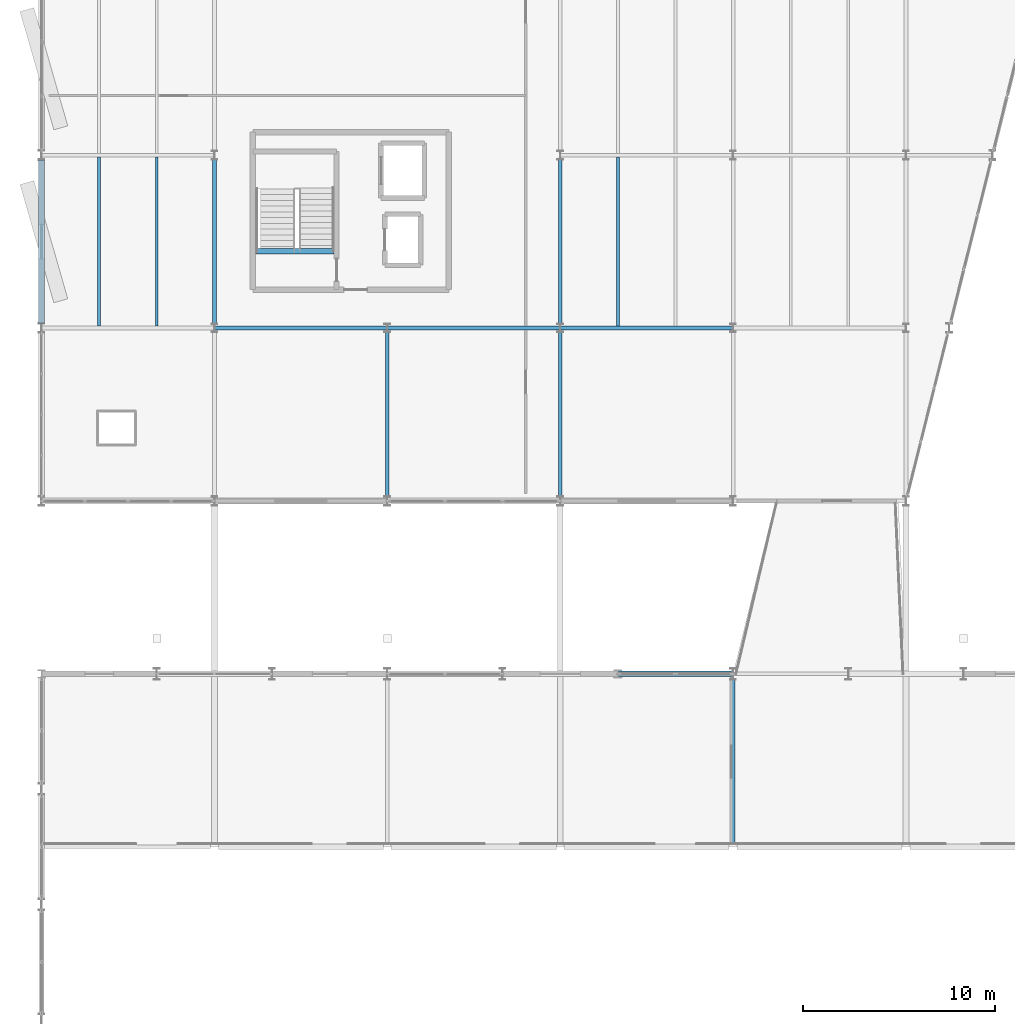
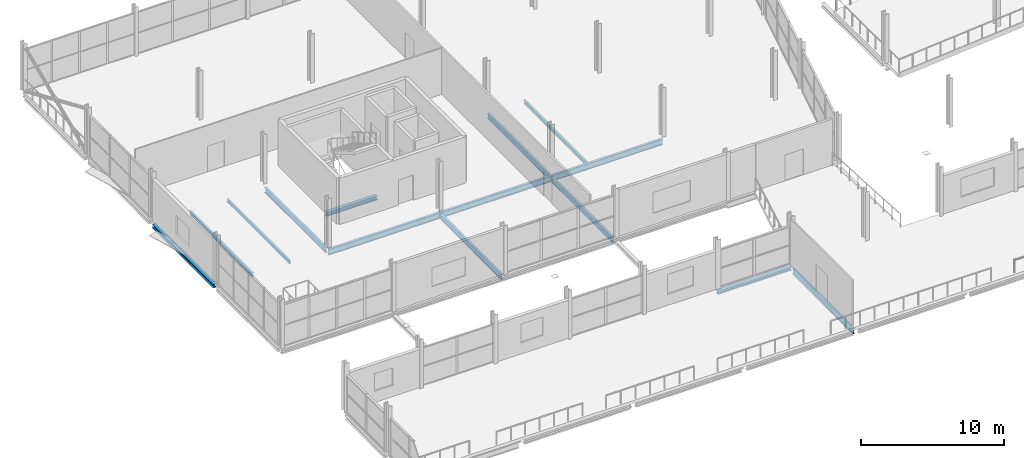
# One storey, part 46 of 135: 14 beams.
"""IFC4 building model written with IfcOpenShell, lengths in metres."""

from ifc_helpers import new_model, si_unit, direction, frame, origin, origin_2d, place, context, subcontext, project, spatial, i_section, extrude, material, material_profile, profile_set, type_object, element, save


model = new_model("IFC4")

# Units and contexts
model_context = context("Model", 3, precision=1e-05, world=origin(), true_north=direction((0.0, 1.0)))
body_context = subcontext(model_context, "Body", "Model", "MODEL_VIEW")
ifc_project = project(units=[si_unit("LENGTHUNIT", "METRE"), si_unit("AREAUNIT", "SQUARE_METRE"), si_unit("VOLUMEUNIT", "CUBIC_METRE"), si_unit("PLANEANGLEUNIT", "RADIAN"), si_unit("MASSUNIT", "GRAM", prefix="KILO")], contexts=[model_context])

# Site, building, storey
site_placement = place(None, origin())
site = spatial("IfcSite", under=ifc_project, at=site_placement, CompositionType="ELEMENT")
building_placement = place(site_placement, origin())
building = spatial("IfcBuilding", under=site, at=building_placement, Name="Deido Ridge Mobility Hub", CompositionType="ELEMENT")
storey_placement = place(building_placement, frame((0.0, 0.0, 4.199951171875)))
storey = spatial("IfcBuildingStorey", under=building, at=storey_placement, Name="L01", CompositionType="ELEMENT", Elevation=4.199951171875)

# Beams
ifc_material = material(Name="Steel S355J2 EN 10025-2", Category="steel")
ifc_material_profile_1 = material_profile(ifc_material, i_section(OverallWidth=0.300048828125, OverallDepth=0.330078125, WebThickness=0.009521484375, FlangeThickness=0.0166015625, FilletRadius=0.027099609375, at=origin_2d()), Name="HEA 340")
ifc_profile_set_1 = profile_set([ifc_material_profile_1], Name="Steel S355J2 EN 10025-2")
beam_type_1 = type_object("IfcBeamType", Name="BM-HEA340", PredefinedType="BEAM", material=ifc_profile_set_1)
beam_1_placement = place(storey_placement, frame((11.14990234375, 58.0, -0.4150390625), z_axis=(1.0, 0.0, 0.0), x_axis=(0.0, 1.0, 0.0)))
element("IfcBeam", 1, at=beam_1_placement, inside=storey, type_object=beam_type_1, Name="C6 stair landing trimmer beam B6", PredefinedType="BEAM", context=body_context, shape_type="SweptSolid", body=[
    extrude(i_section(OverallWidth=0.300048828125, OverallDepth=0.330078125, WebThickness=0.009521484375, FlangeThickness=0.0166015625, FilletRadius=0.027099609375, at=origin_2d()), origin(), (0.0, 0.0, 1.0), 4.085205078125),
])
ifc_material_profile_2 = material_profile(ifc_material, i_section(OverallWidth=0.18994140625, OverallDepth=0.449951171875, WebThickness=0.009521484375, FlangeThickness=0.0146484375, FilletRadius=0.02099609375, at=origin_2d()), Name="IPE 450")
ifc_profile_set_2 = profile_set([ifc_material_profile_2], Name="Steel S355J2 EN 10025-2")
beam_type_2 = type_object("IfcBeamType", Name="BM-IPE450", PredefinedType="BEAM", material=ifc_profile_set_2)
beam_2_placement = place(storey_placement, frame((9.0, 54.22509765625, -0.474853515625), z_axis=(0.0, 1.0, 0.0), x_axis=(-1.0, 0.0, 0.0)))
element("IfcBeam", 2, at=beam_2_placement, inside=storey, type_object=beam_type_2, Name="Floor beam B4", PredefinedType="BEAM", context=body_context, shape_type="SweptSolid", body=[
    extrude(i_section(OverallWidth=0.18994140625, OverallDepth=0.449951171875, WebThickness=0.009521484375, FlangeThickness=0.0146484375, FilletRadius=0.02099609375, at=origin_2d()), origin(), (0.0, 0.0, 1.0), 8.5498046875),
])
for number, where, z_axis, x_axis, name in (
    (3, (18.0, 45.25, -0.474853515625), (0.0, 1.0, 0.0), (-1.0, 0.0, 0.0), "Floor beam B4"),
    (4, (27.0, 45.25, -0.474853515625), (0.0, 1.0, 0.0), (-1.0, 0.0, 0.0), "Floor beam B4"),
):
    element("IfcBeam", number, at=place(storey_placement, frame(where, z_axis=z_axis, x_axis=x_axis)), inside=storey, type_object=beam_type_2, Name=name, PredefinedType="BEAM", context=body_context, shape_type="SweptSolid", body=[
        extrude(i_section(OverallWidth=0.18994140625, OverallDepth=0.449951171875, WebThickness=0.009521484375, FlangeThickness=0.0146484375, FilletRadius=0.02099609375, at=origin_2d()), origin(), (0.0, 0.0, 1.0), 8.52490234375),
    ])
beam_3_placement = place(storey_placement, frame((27.0, 54.22509765625, -0.474853515625), z_axis=(0.0, 1.0, 0.0), x_axis=(-1.0, 0.0, 0.0)))
element("IfcBeam", 5, at=beam_3_placement, inside=storey, type_object=beam_type_2, Name="Floor beam B4", PredefinedType="BEAM", context=body_context, shape_type="SweptSolid", body=[
    extrude(i_section(OverallWidth=0.18994140625, OverallDepth=0.449951171875, WebThickness=0.009521484375, FlangeThickness=0.0146484375, FilletRadius=0.02099609375, at=origin_2d()), origin(), (0.0, 0.0, 1.0), 8.5498046875),
])
beam_4_placement = place(storey_placement, frame((36.0, 27.203125, -0.474853515625), z_axis=(0.0, 1.0, 0.0), x_axis=(-1.0, 0.0, 0.0)))
element("IfcBeam", 6, at=beam_4_placement, inside=storey, type_object=beam_type_2, Name="Floor beam B4", PredefinedType="BEAM", context=body_context, shape_type="SweptSolid", body=[
    extrude(i_section(OverallWidth=0.18994140625, OverallDepth=0.449951171875, WebThickness=0.009521484375, FlangeThickness=0.0146484375, FilletRadius=0.02099609375, at=origin_2d()), origin(), (0.0, 0.0, 1.0), 8.496826171875),
])
ifc_material_profile_3 = material_profile(ifc_material, i_section(OverallWidth=0.199951171875, OverallDepth=0.5, WebThickness=0.01025390625, FlangeThickness=0.01611328125, FilletRadius=0.02099609375, at=origin_2d()), Name="IPE 500")
ifc_profile_set_3 = profile_set([ifc_material_profile_3], Name="Steel S355J2 EN 10025-2")
beam_type_3 = type_object("IfcBeamType", Name="BM-IPE500", PredefinedType="BEAM", material=ifc_profile_set_3)
for number, where, z_axis, x_axis, name in (
    (7, (9.007080078125, 54.0, -0.5), (1.0, 0.0, 0.0), (0.0, 1.0, 0.0), "Floor beam B3"),
    (8, (18.007080078125, 54.0, -0.5), (1.0, 0.0, 0.0), (0.0, 1.0, 0.0), "Floor beam B3"),
    (9, (27.007080078125, 54.0, -0.5), (1.0, 0.0, 0.0), (0.0, 1.0, 0.0), "Floor beam B3"),
):
    element("IfcBeam", number, at=place(storey_placement, frame(where, z_axis=z_axis, x_axis=x_axis)), inside=storey, type_object=beam_type_3, Name=name, PredefinedType="BEAM", context=body_context, shape_type="SweptSolid", body=[
        extrude(i_section(OverallWidth=0.199951171875, OverallDepth=0.5, WebThickness=0.01025390625, FlangeThickness=0.01611328125, FilletRadius=0.02099609375, at=origin_2d()), origin(), (0.0, 0.0, 1.0), 8.98583984375),
    ])
ifc_material_profile_4 = material_profile(ifc_material, i_section(OverallWidth=0.135009765625, OverallDepth=0.27001953125, WebThickness=0.006591796875, FlangeThickness=0.01025390625, FilletRadius=0.014892578125, at=origin_2d()), Name="IPE 270")
ifc_profile_set_4 = profile_set([ifc_material_profile_4], Name="Steel S355J2 EN 10025-2")
beam_type_4 = type_object("IfcBeamType", Name="JST-IPE270", PredefinedType="JOIST", material=ifc_profile_set_4)
beam_5_placement = place(storey_placement, frame((6.0, 54.10009765625, -0.385009765625), z_axis=(0.0, 1.0, 0.0), x_axis=(-1.0, 0.0, 0.0)))
element("IfcBeam", 10, at=beam_5_placement, inside=storey, type_object=beam_type_4, Name="Composite joist J4", PredefinedType="JOIST", context=body_context, shape_type="SweptSolid", body=[
    extrude(i_section(OverallWidth=0.135009765625, OverallDepth=0.27001953125, WebThickness=0.006591796875, FlangeThickness=0.01025390625, FilletRadius=0.014892578125, at=origin_2d()), origin(), (0.0, 0.0, 1.0), 8.7998046875),
])
ifc_material_profile_5 = material_profile(ifc_material, i_section(OverallWidth=0.14990234375, OverallDepth=0.300048828125, WebThickness=0.007080078125, FlangeThickness=0.0107421875, FilletRadius=0.014892578125, at=origin_2d()), Name="IPE 300")
ifc_profile_set_5 = profile_set([ifc_material_profile_5], Name="Steel S355J2 EN 10025-2")
beam_type_5 = type_object("IfcBeamType", Name="JST-IPE300", PredefinedType="JOIST", material=ifc_profile_set_5)
for number, where, z_axis, x_axis, name in (
    (11, (3.0, 54.10009765625, -0.39990234375), (0.0, 1.0, 0.0), (-1.0, 0.0, 0.0), "Composite joist J3"),
    (12, (30.0, 54.10009765625, -0.39990234375), (0.0, 1.0, 0.0), (-1.0, 0.0, 0.0), "Composite joist J3"),
):
    element("IfcBeam", number, at=place(storey_placement, frame(where, z_axis=z_axis, x_axis=x_axis)), inside=storey, type_object=beam_type_5, Name=name, PredefinedType="JOIST", context=body_context, shape_type="SweptSolid", body=[
        extrude(i_section(OverallWidth=0.14990234375, OverallDepth=0.300048828125, WebThickness=0.007080078125, FlangeThickness=0.0107421875, FilletRadius=0.014892578125, at=origin_2d()), origin(), (0.0, 0.0, 1.0), 8.7998046875),
    ])
ifc_material_profile_6 = material_profile(ifc_material, i_section(OverallWidth=0.280029296875, OverallDepth=0.27001953125, WebThickness=0.008056640625, FlangeThickness=0.012939453125, FilletRadius=0.02392578125, at=origin_2d()), Name="HEA 280")
ifc_profile_set_6 = profile_set([ifc_material_profile_6], Name="Steel S355J2 EN 10025-2")
beam_type_6 = type_object("IfcBeamType", Name="SPD-HEA280", PredefinedType="SPANDREL", material=ifc_profile_set_6)
beam_6_placement = place(storey_placement, frame((30.011962890625, 36.0, -0.385009765625), z_axis=(1.0, 0.0, 0.0), x_axis=(0.0, 1.0, 0.0)))
element("IfcBeam", 13, at=beam_6_placement, inside=storey, type_object=beam_type_6, Name="Floor beam SP2", PredefinedType="SPANDREL", context=body_context, shape_type="SweptSolid", body=[
    extrude(i_section(OverallWidth=0.280029296875, OverallDepth=0.27001953125, WebThickness=0.008056640625, FlangeThickness=0.012939453125, FilletRadius=0.02392578125, at=origin_2d()), origin(), (0.0, 0.0, 1.0), 5.980224609375),
])
ifc_material_profile_7 = material_profile(ifc_material, i_section(OverallWidth=0.300048828125, OverallDepth=0.300048828125, WebThickness=0.010986328125, FlangeThickness=0.01904296875, FilletRadius=0.027099609375, at=origin_2d()), Name="HEB 300")
ifc_profile_set_7 = profile_set([ifc_material_profile_7], Name="Steel S355J2 EN 10025-2")
beam_type_7 = type_object("IfcBeamType", Name="SPD-HEB300", PredefinedType="SPANDREL", material=ifc_profile_set_7)
beam_7_placement = place(storey_placement, frame((0.0, 54.25, -0.39990234375), z_axis=(0.0, 1.0, 0.0), x_axis=(-1.0, 0.0, 0.0)))
element("IfcBeam", 14, at=beam_7_placement, inside=storey, type_object=beam_type_7, Name="Floor beam SP1", PredefinedType="SPANDREL", context=body_context, shape_type="SweptSolid", body=[
    extrude(i_section(OverallWidth=0.300048828125, OverallDepth=0.300048828125, WebThickness=0.010986328125, FlangeThickness=0.01904296875, FilletRadius=0.027099609375, at=origin_2d()), origin(), (0.0, 0.0, 1.0), 8.5),
])

save(model, "model.ifc")
